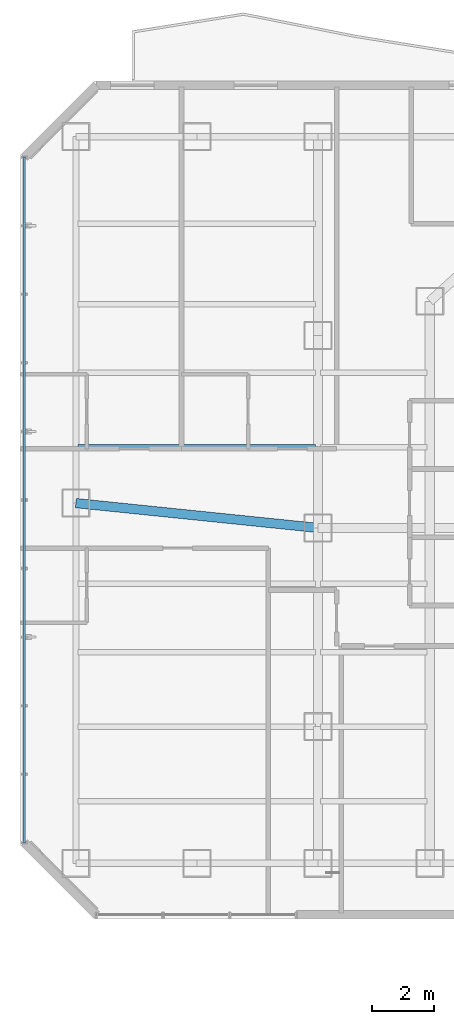
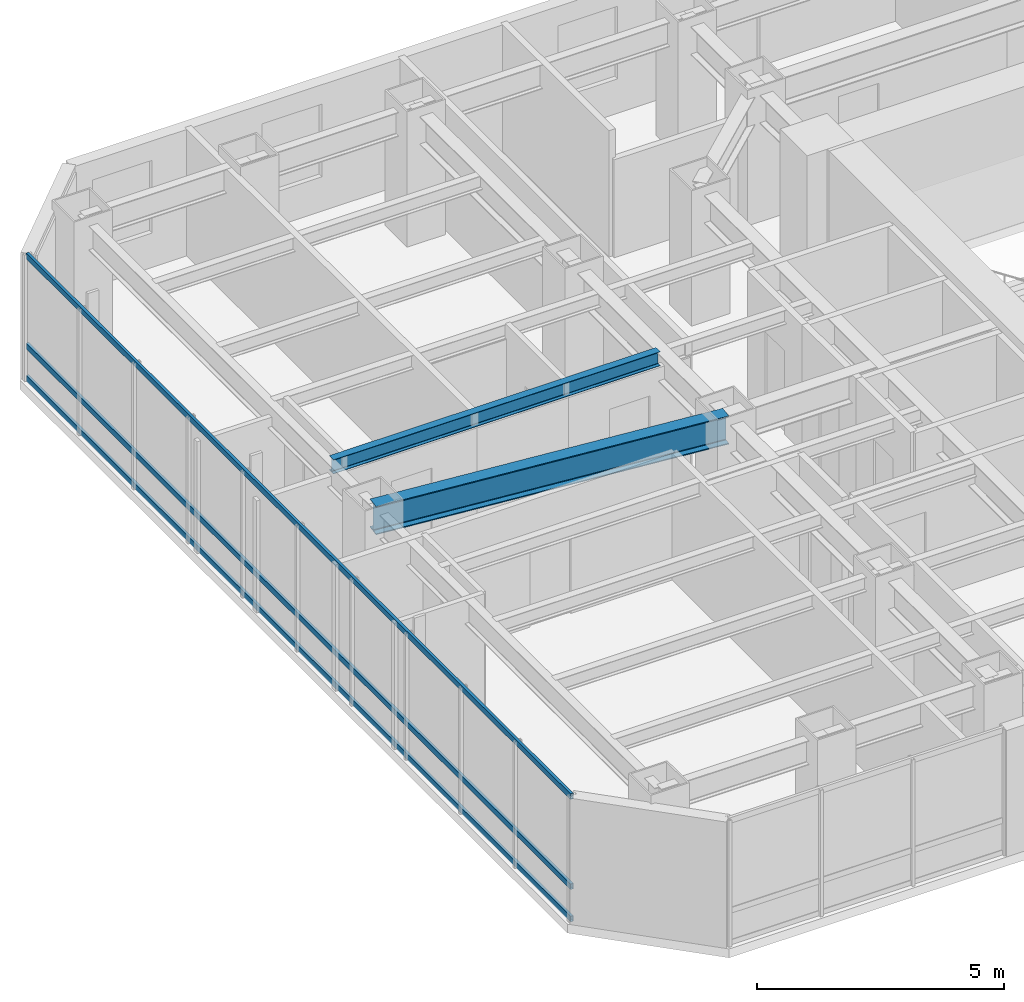
# One storey, part 14 of 31: 3 members, 2 beams, 1 element without a shape of its own.
"""IFC4 building model written with IfcOpenShell, lengths in metres."""

from ifc_helpers import new_model, si_unit, direction, frame, origin, origin_2d, place, context, subcontext, project, spatial, hollow_rectangle, i_section, extrude, material, layer, layer_set, material_profile, profile_set, type_object, element, aggregate, save


model = new_model("IFC4")

# Units and contexts
model_context = context("Model", 3, precision=1e-05, world=origin(), true_north=direction((0.0, 1.0)))
body_context = subcontext(model_context, "Body", "Model", "MODEL_VIEW")
ifc_project = project(units=[si_unit("LENGTHUNIT", "METRE"), si_unit("AREAUNIT", "SQUARE_METRE"), si_unit("VOLUMEUNIT", "CUBIC_METRE"), si_unit("PLANEANGLEUNIT", "RADIAN"), si_unit("MASSUNIT", "GRAM", prefix="KILO")], contexts=[model_context])

# Site, building, storey
site_placement = place(None, origin())
site = spatial("IfcSite", under=ifc_project, at=site_placement, CompositionType="ELEMENT")
building_placement = place(site_placement, origin())
building = spatial("IfcBuilding", under=site, at=building_placement, Name="Hatsunagi Terrace Concourse", CompositionType="ELEMENT")
storey_placement = place(building_placement, frame((0.0, 0.0, 81.300048828125)))
storey = spatial("IfcBuildingStorey", under=building, at=storey_placement, Name="L21", CompositionType="ELEMENT", Elevation=81.300048828125)

# Curtain wall, members
ifc_material_1 = material(Name="Anodised Aluminium Alloy 6063-T5", Category="aluminium")
ifc_layer = layer(ifc_material_1, 0.199951171875)
ifc_layer_set = layer_set([ifc_layer], Name="HotelFacade_CW02")
curtain_wall_type = type_object("IfcCurtainWallType", Name="HotelFacade_CW02", PredefinedType="NOTDEFINED", material=ifc_layer_set)
curtain_wall_placement = place(storey_placement, origin())
curtain_wall = element("IfcCurtainWall", 1, at=curtain_wall_placement, inside=storey, type_object=curtain_wall_type, Name="Unitised Curtain Wall CW-02 CW-L21-09", PredefinedType="NOTDEFINED")
ifc_material_2 = material(Name="Anodised Aluminium Alloy 6063-T5", Category="aluminium")
ifc_material_profile_1 = material_profile(ifc_material_2, hollow_rectangle(XDim=0.06494140625, YDim=0.139892578125, WallThickness=0.00390625, at=origin_2d()), Name="ALU-TRN-140x65x4")
ifc_profile_set_1 = profile_set([ifc_material_profile_1], Name="Anodised Aluminium Alloy 6063-T5")
member_type = type_object("IfcMemberType", Name="CurtainWallTransom_140x65", PredefinedType="USERDEFINED", material=ifc_profile_set_1)
member_1_placement = place(storey_placement, frame((9.739990234375, 25.85791015625, 0.050048828125), z_axis=(0.0, 1.0, 0.0), x_axis=(-1.0, 0.0, 0.0)))
member_1 = element("IfcMember", 2, at=member_1_placement, type_object=member_type, Name="Curtain Wall Transom TRN-02", ObjectType="TRANSOM", PredefinedType="USERDEFINED", context=body_context, shape_type="SweptSolid", body=[
    extrude(hollow_rectangle(XDim=0.06494140625, YDim=0.139892578125, WallThickness=0.00390625, at=origin_2d()), origin(), (0.0, 0.0, 1.0), 22.083984375),
])
member_2_placement = place(storey_placement, frame((9.739990234375, 25.85791015625, 0.849853515625), z_axis=(0.0, 1.0, 0.0), x_axis=(-1.0, 0.0, 0.0)))
member_2 = element("IfcMember", 3, at=member_2_placement, type_object=member_type, Name="Curtain Wall Transom TRN-02", ObjectType="TRANSOM", PredefinedType="USERDEFINED", context=body_context, shape_type="SweptSolid", body=[
    extrude(hollow_rectangle(XDim=0.06494140625, YDim=0.139892578125, WallThickness=0.00390625, at=origin_2d()), origin(), (0.0, 0.0, 1.0), 22.083984375),
])
member_3_placement = place(storey_placement, frame((9.739990234375, 25.85791015625, 3.079833984375), z_axis=(0.0, 1.0, 0.0), x_axis=(-1.0, 0.0, 0.0)))
member_3 = element("IfcMember", 4, at=member_3_placement, type_object=member_type, Name="Curtain Wall Transom TRN-02", ObjectType="TRANSOM", PredefinedType="USERDEFINED", context=body_context, shape_type="SweptSolid", body=[
    extrude(hollow_rectangle(XDim=0.06494140625, YDim=0.139892578125, WallThickness=0.00390625, at=origin_2d()), origin(), (0.0, 0.0, 1.0), 22.083984375),
])
aggregate(curtain_wall, [member_1, member_2, member_3])

# Beams
ifc_material_3 = material(Name="Steel SN490B", Category="steel")
ifc_material_profile_2 = material_profile(ifc_material_3, i_section(OverallWidth=0.300048828125, OverallDepth=0.699951171875, WebThickness=0.012939453125, FlangeThickness=0.02392578125, FilletRadius=0.02197265625, at=origin_2d()), Name="H-700x300x13x24")
ifc_profile_set_2 = profile_set([ifc_material_profile_2], Name="Steel SN490B")
beam_type_1 = type_object("IfcBeamType", Name="HotelFloorGirder_H_700x300", PredefinedType="BEAM", material=ifc_profile_set_2)
beam_1_placement = place(storey_placement, frame((11.39990234375, 36.800048828125, 2.780029296875), z_axis=(0.994780871372, -0.102034395927, 0.0), x_axis=(0.102034395927, 0.994780871372, 0.0)))
element("IfcBeam", 5, at=beam_1_placement, inside=storey, type_object=beam_type_1, Name="Beam G-04 BM-L21-EW-2", PredefinedType="BEAM", context=body_context, shape_type="SweptSolid", body=[
    extrude(i_section(OverallWidth=0.300048828125, OverallDepth=0.699951171875, WebThickness=0.012939453125, FlangeThickness=0.02392578125, FilletRadius=0.02197265625, at=origin_2d()), origin(), (0.0, 0.0, 1.0), 7.841064453125),
])
ifc_material_4 = material(Name="Steel SN490B", Category="steel")
ifc_material_profile_3 = material_profile(ifc_material_4, i_section(OverallWidth=0.175048828125, OverallDepth=0.35009765625, WebThickness=0.007080078125, FlangeThickness=0.010986328125, FilletRadius=0.012939453125, at=origin_2d()), Name="H-350x175x7x11")
ifc_profile_set_3 = profile_set([ifc_material_profile_3], Name="Steel SN490B")
beam_type_2 = type_object("IfcBeamType", Name="HotelJoist_H_350x175", PredefinedType="JOIST", material=ifc_profile_set_3)
beam_2_placement = place(storey_placement, frame((11.465087890625, 38.60009765625, 2.954833984375), z_axis=(1.0, 0.0, 0.0), x_axis=(0.0, 1.0, 0.0)))
element("IfcBeam", 6, at=beam_2_placement, inside=storey, type_object=beam_type_2, Name="Beam J-02 J-L21-W-11-386", PredefinedType="JOIST", context=body_context, shape_type="SweptSolid", body=[
    extrude(i_section(OverallWidth=0.175048828125, OverallDepth=0.35009765625, WebThickness=0.007080078125, FlangeThickness=0.010986328125, FilletRadius=0.012939453125, at=origin_2d()), origin(), (0.0, 0.0, 1.0), 7.64990234375),
])

save(model, "model.ifc")
